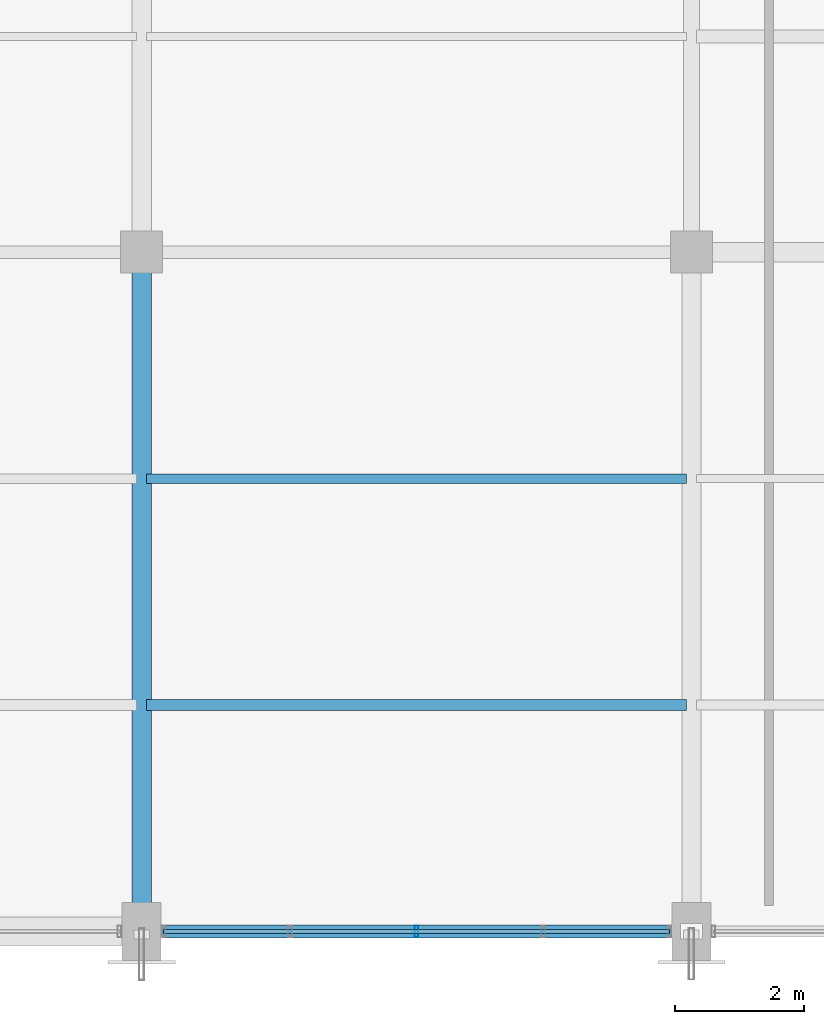
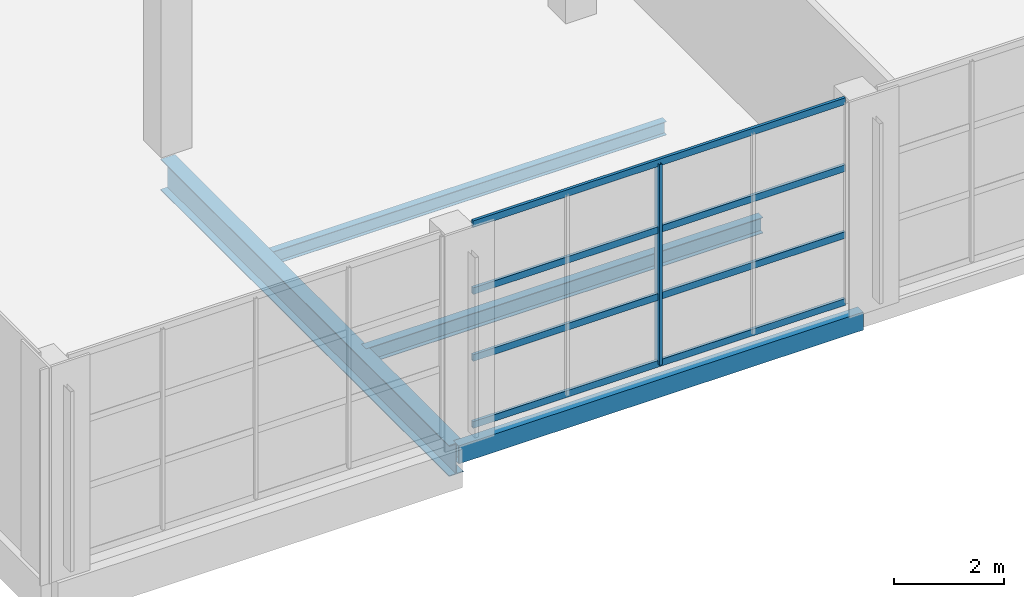
# One storey, part 4 of 66: 5 members, 4 beams, 1 element without a shape of its own.
"""IFC4 building model written with IfcOpenShell, lengths in metres."""

from ifc_helpers import new_model, si_unit, direction, frame, origin, origin_2d, place, context, subcontext, project, spatial, hollow_rectangle, i_section, extrude, material, material_profile, profile_set, type_object, element, aggregate, save


model = new_model("IFC4")

# Units and contexts
model_context = context("Model", 3, precision=1e-05, world=origin(), true_north=direction((0.0, 1.0)))
body_context = subcontext(model_context, "Body", "Model", "MODEL_VIEW")
ifc_project = project(units=[si_unit("LENGTHUNIT", "METRE"), si_unit("AREAUNIT", "SQUARE_METRE"), si_unit("VOLUMEUNIT", "CUBIC_METRE"), si_unit("PLANEANGLEUNIT", "RADIAN"), si_unit("MASSUNIT", "GRAM", prefix="KILO")], contexts=[model_context])

# Site, building, storey
site_placement = place(None, origin())
site = spatial("IfcSite", under=ifc_project, at=site_placement, CompositionType="ELEMENT")
building_placement = place(site_placement, origin())
building = spatial("IfcBuilding", under=site, at=building_placement, Name="Solvikara Media Centre", CompositionType="ELEMENT")
storey_placement = place(building_placement, frame((0.0, 0.0, 19.800048828125)))
storey = spatial("IfcBuildingStorey", under=building, at=storey_placement, Name="L04", CompositionType="ELEMENT", Elevation=19.800048828125)

# Beams
ifc_material_1 = material(Name="Steel S355JR", Category="steel")
ifc_material_profile_1 = material_profile(ifc_material_1, i_section(OverallWidth=0.175048828125, OverallDepth=0.35009765625, WebThickness=0.007080078125, FlangeThickness=0.010986328125, at=origin_2d()), Name="WF 350x175x7x11")
ifc_profile_set_1 = profile_set([ifc_material_profile_1], Name="Steel S355JR")
beam_type_1 = type_object("IfcBeamType", Name="BM-22", PredefinedType="JOIST", material=ifc_profile_set_1)
beam_1_placement = place(storey_placement, frame((42.577880859375, 3.5, -0.45703125), z_axis=(1.0, 0.0, 0.0), x_axis=(0.0, 1.0, 0.0)))
element("IfcBeam", 1, at=beam_1_placement, inside=storey, type_object=beam_type_1, Name="J-L04-1594", PredefinedType="JOIST", context=body_context, shape_type="SweptSolid", body=[
    extrude(i_section(OverallWidth=0.175048828125, OverallDepth=0.35009765625, WebThickness=0.007080078125, FlangeThickness=0.010986328125, at=origin_2d()), origin(), (0.0, 0.0, 1.0), 8.34423828125),
])
ifc_material_profile_2 = material_profile(ifc_material_1, i_section(OverallWidth=0.14990234375, OverallDepth=0.300048828125, WebThickness=0.006591796875, FlangeThickness=0.009033203125, at=origin_2d()), Name="WF 300x150x6.5x9")
ifc_profile_set_2 = profile_set([ifc_material_profile_2], Name="Steel S355JR")
beam_type_2 = type_object("IfcBeamType", Name="BM-23", PredefinedType="JOIST", material=ifc_profile_set_2)
beam_2_placement = place(storey_placement, frame((42.577880859375, 7.0, -0.43212890625), z_axis=(1.0, 0.0, 0.0), x_axis=(0.0, 1.0, 0.0)))
element("IfcBeam", 2, at=beam_2_placement, inside=storey, type_object=beam_type_2, Name="J-L04-1595", PredefinedType="JOIST", context=body_context, shape_type="SweptSolid", body=[
    extrude(i_section(OverallWidth=0.14990234375, OverallDepth=0.300048828125, WebThickness=0.006591796875, FlangeThickness=0.009033203125, at=origin_2d()), origin(), (0.0, 0.0, 1.0), 8.34423828125),
])
ifc_material_profile_3 = material_profile(ifc_material_1, i_section(OverallWidth=0.300048828125, OverallDepth=0.69189453125, WebThickness=0.012939453125, FlangeThickness=0.02001953125, at=origin_2d()), Name="H 692x300x13x20")
ifc_profile_set_3 = profile_set([ifc_material_profile_3], Name="Steel S355JR")
beam_type_3 = type_object("IfcBeamType", Name="BM-25", PredefinedType="BEAM", material=ifc_profile_set_3)
beam_3_placement = place(storey_placement, frame((42.5, 0.0, -0.6279296875), z_axis=(0.0, 1.0, 0.0), x_axis=(-1.0, 0.0, 0.0)))
element("IfcBeam", 3, at=beam_3_placement, inside=storey, type_object=beam_type_3, Name="B-L04-Y1517", PredefinedType="BEAM", context=body_context, shape_type="SweptSolid", body=[
    extrude(i_section(OverallWidth=0.300048828125, OverallDepth=0.69189453125, WebThickness=0.012939453125, FlangeThickness=0.02001953125, at=origin_2d()), origin(), (0.0, 0.0, 1.0), 10.5),
])
ifc_material_profile_4 = material_profile(ifc_material_1, hollow_rectangle(XDim=0.199951171875, YDim=0.39990234375, WallThickness=0.011962890625, at=origin_2d()), Name="RHS 400x200x12")
ifc_profile_set_4 = profile_set([ifc_material_profile_4], Name="Steel S355JR")
beam_type_4 = type_object("IfcBeamType", Name="BM-33", PredefinedType="SPANDREL", material=ifc_profile_set_4)
beam_4_placement = place(storey_placement, frame((42.5, 0.0, -0.48193359375), z_axis=(1.0, 0.0, 0.0), x_axis=(0.0, 1.0, 0.0)))
element("IfcBeam", 4, at=beam_4_placement, inside=storey, type_object=beam_type_4, Name="B-L04-X1435", PredefinedType="SPANDREL", context=body_context, shape_type="SweptSolid", body=[
    extrude(hollow_rectangle(XDim=0.199951171875, YDim=0.39990234375, WallThickness=0.011962890625, at=origin_2d()), origin(), (0.0, 0.0, 1.0), 8.5),
])

# Curtain wall, members
ifc_material_2 = material(Name="Anodised aluminium EN AW-6063", Category="aluminium")
curtain_wall_type = type_object("IfcCurtainWallType", Name="CW-15", PredefinedType="NOTDEFINED", material=ifc_material_2)
curtain_wall_placement = place(storey_placement, origin())
curtain_wall = element("IfcCurtainWall", 5, at=curtain_wall_placement, inside=storey, type_object=curtain_wall_type, Name="CW-L04-V6S-2", PredefinedType="NOTDEFINED")
ifc_material_profile_5 = material_profile(ifc_material_2, hollow_rectangle(XDim=0.06005859375, YDim=0.179931640625, WallThickness=0.00341796875, at=origin_2d()), Name="ALU-M 60x180x3.5")
ifc_profile_set_5 = profile_set([ifc_material_profile_5], Name="Anodised aluminium EN AW-6063")
member_type_1 = type_object("IfcMemberType", Name="MF-03", PredefinedType="MULLION", material=ifc_profile_set_5)
member_1_placement = place(storey_placement, frame((46.75, 0.0, 0.02001953125), z_axis=(0.0, 0.0, 1.0), x_axis=(1.0, 0.0, 0.0)))
member_1 = element("IfcMember", 6, at=member_1_placement, type_object=member_type_1, Name="CW-L04-V6S-2-M02", PredefinedType="MULLION", context=body_context, shape_type="SweptSolid", body=[
    extrude(hollow_rectangle(XDim=0.06005859375, YDim=0.179931640625, WallThickness=0.00341796875, at=origin_2d()), origin(), (0.0, 0.0, 1.0), 4.4599609375),
])
ifc_material_profile_6 = material_profile(ifc_material_2, hollow_rectangle(XDim=0.06005859375, YDim=0.14990234375, WallThickness=0.0029296875, at=origin_2d()), Name="ALU-T 60x150x3")
ifc_profile_set_6 = profile_set([ifc_material_profile_6], Name="Anodised aluminium EN AW-6063")
member_type_2 = type_object("IfcMemberType", Name="MF-09", PredefinedType="USERDEFINED", material=ifc_profile_set_6)
member_2_placement = place(storey_placement, frame((42.840087890625, 0.0, 0.02001953125), z_axis=(1.0, 0.0, 0.0), x_axis=(0.0, 1.0, 0.0)))
member_2 = element("IfcMember", 7, at=member_2_placement, type_object=member_type_2, Name="CW-L04-V6S-2-T00", ObjectType="TRANSOM", PredefinedType="USERDEFINED", context=body_context, shape_type="SweptSolid", body=[
    extrude(hollow_rectangle(XDim=0.06005859375, YDim=0.14990234375, WallThickness=0.0029296875, at=origin_2d()), origin(), (0.0, 0.0, 1.0), 7.81982421875),
])
member_3_placement = place(storey_placement, frame((42.840087890625, 0.0, 1.5068359375), z_axis=(1.0, 0.0, 0.0), x_axis=(0.0, 1.0, 0.0)))
member_3 = element("IfcMember", 8, at=member_3_placement, type_object=member_type_2, Name="CW-L04-V6S-2-T01", ObjectType="TRANSOM", PredefinedType="USERDEFINED", context=body_context, shape_type="SweptSolid", body=[
    extrude(hollow_rectangle(XDim=0.06005859375, YDim=0.14990234375, WallThickness=0.0029296875, at=origin_2d()), origin(), (0.0, 0.0, 1.0), 7.81982421875),
])
member_4_placement = place(storey_placement, frame((42.840087890625, 0.0, 2.992919921875), z_axis=(1.0, 0.0, 0.0), x_axis=(0.0, 1.0, 0.0)))
member_4 = element("IfcMember", 9, at=member_4_placement, type_object=member_type_2, Name="CW-L04-V6S-2-T02", ObjectType="TRANSOM", PredefinedType="USERDEFINED", context=body_context, shape_type="SweptSolid", body=[
    extrude(hollow_rectangle(XDim=0.06005859375, YDim=0.14990234375, WallThickness=0.0029296875, at=origin_2d()), origin(), (0.0, 0.0, 1.0), 7.81982421875),
])
member_5_placement = place(storey_placement, frame((42.840087890625, 0.0, 4.47998046875), z_axis=(1.0, 0.0, 0.0), x_axis=(0.0, 1.0, 0.0)))
member_5 = element("IfcMember", 10, at=member_5_placement, type_object=member_type_2, Name="CW-L04-V6S-2-T03", ObjectType="TRANSOM", PredefinedType="USERDEFINED", context=body_context, shape_type="SweptSolid", body=[
    extrude(hollow_rectangle(XDim=0.06005859375, YDim=0.14990234375, WallThickness=0.0029296875, at=origin_2d()), origin(), (0.0, 0.0, 1.0), 7.81982421875),
])
aggregate(curtain_wall, [member_1, member_2, member_3, member_4, member_5])

save(model, "model.ifc")
